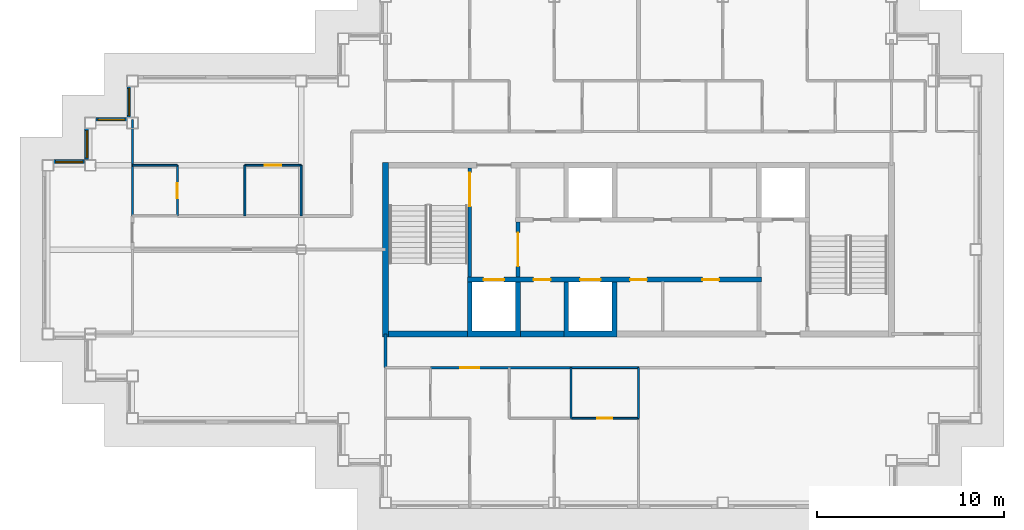
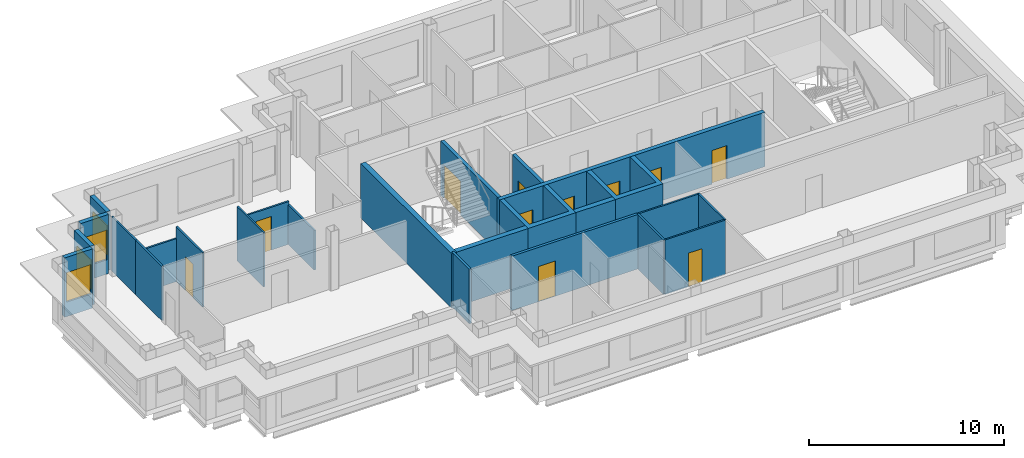
# One storey, part 3 of 12: 25 walls, 11 doors, 4 windows, 15 openings.
"""IFC4 building model written with IfcOpenShell, lengths in metres."""

from ifc_helpers import new_model, si_unit, direction, frame, frame_2d, origin, place, context, subcontext, project, spatial, polyline, rectangle, outline, extrude, material, layer, layer_set, type_object, element, fill, save


model = new_model("IFC4")

# Units and contexts
model_context = context("Model", 3, precision=1e-05, world=origin(), true_north=direction((0.0, 1.0)))
body_context = subcontext(model_context, "Body", "Model", "MODEL_VIEW")
ifc_project = project(units=[si_unit("LENGTHUNIT", "METRE"), si_unit("AREAUNIT", "SQUARE_METRE"), si_unit("VOLUMEUNIT", "CUBIC_METRE"), si_unit("PLANEANGLEUNIT", "RADIAN"), si_unit("MASSUNIT", "GRAM", prefix="KILO")], contexts=[model_context])

# Site, building, storey
site_placement = place(None, origin())
site = spatial("IfcSite", under=ifc_project, at=site_placement, CompositionType="ELEMENT")
building_placement = place(site_placement, origin())
building = spatial("IfcBuilding", under=site, at=building_placement, Name="Caravel Reach Hotel and Residences", CompositionType="ELEMENT")
storey_placement = place(building_placement, frame((0.0, 0.0, 241.60009765625)))
storey = spatial("IfcBuildingStorey", under=building, at=storey_placement, Name="L61", CompositionType="ELEMENT", Elevation=241.60009765625)

# Wall, opening, door
ifc_material_1 = material(Name="Gypsum board on steel stud", Category="steel")
ifc_layer_1 = layer(ifc_material_1, 0.10009765625)
ifc_layer_set_1 = layer_set([ifc_layer_1], Name="Bathroom pod wall 100 mm")
wall_type_1 = type_object("IfcWallType", Name="Bathroom pod wall 100 mm", PredefinedType="PARTITIONING", material=ifc_layer_set_1)
wall_1_placement = place(storey_placement, frame((27.89990234375, 18.0, 0.0), z_axis=(0.0, 0.0, 1.0), x_axis=(1.0, 0.0, 0.0)))
wall_1 = element("IfcWall", 1, at=wall_1_placement, inside=storey, type_object=wall_type_1, Name="L61 wall w052", PredefinedType="PARTITIONING", context=body_context, shape_type="SweptSolid", body=[
    extrude(rectangle(XDim=3.60009765625, YDim=0.10009765625, at=frame_2d((1.800048828125, 0.0))), origin(), (0.0, 0.0, 1.0), 3.39990234375),
])
opening_1_placement = place(wall_1_placement, frame((1.39990234375, 0.0, 0.0)))
opening_1 = element("IfcOpeningElement", 2, at=opening_1_placement, cuts=wall_1, Name="Opening D61-036", PredefinedType="OPENING", context=body_context, shape_type="SweptSolid", body=[
    extrude(rectangle(XDim=0.800048828125, YDim=2.10009765625, at=frame_2d((0.39990234375, 1.050048828125))), frame((0.0, 0.06005859375, 0.0), z_axis=(0.0, -1.0, 0.0), x_axis=(1.0, 0.0, 0.0)), (0.0, 0.0, 1.0), 0.1201171875),
])
ifc_material_2 = material(Name="Timber and steel door leaf", Category="steel")
door_type_1 = type_object("IfcDoorType", Name="Bathroom door 800 x 2100", OperationType="SINGLE_SWING_LEFT", PredefinedType="DOOR", material=ifc_material_2)
door_1_placement = place(opening_1_placement, origin())
door_1 = element("IfcDoor", 3, at=door_1_placement, inside=storey, type_object=door_type_1, Name="door D61-036", OperationType="SINGLE_SWING_LEFT", OverallHeight=2.10009765625, OverallWidth=0.800048828125, PredefinedType="DOOR", context=body_context, shape_type="SweptSolid", body=[
    extrude(rectangle(XDim=0.800048828125, YDim=2.10009765625, at=frame_2d((0.39990234375, 1.050048828125))), frame((0.0, 0.02490234375, 0.0), z_axis=(0.0, -1.0, 0.0), x_axis=(1.0, 0.0, 0.0)), (0.0, 0.0, 1.0), 0.050048828125),
])
fill(opening_1, door_1)

# Walls
wall_2_placement = place(storey_placement, frame((27.89990234375, 20.699951171875, 0.0), z_axis=(0.0, 0.0, 1.0), x_axis=(1.0, 0.0, 0.0)))
element("IfcWall", 4, at=wall_2_placement, inside=storey, type_object=wall_type_1, Name="L61 wall w054", PredefinedType="PARTITIONING", context=body_context, shape_type="SweptSolid", body=[
    extrude(rectangle(XDim=3.60009765625, YDim=0.10009765625, at=frame_2d((1.800048828125, 0.0))), origin(), (0.0, 0.0, 1.0), 3.39990234375),
])
wall_3_placement = place(storey_placement, frame((4.5, 31.5, 0.0), z_axis=(0.0, 0.0, 1.0), x_axis=(1.0, 0.0, 0.0)))
element("IfcWall", 5, at=wall_3_placement, inside=storey, type_object=wall_type_1, Name="L61 wall w056", PredefinedType="PARTITIONING", context=body_context, shape_type="SweptSolid", body=[
    extrude(rectangle(XDim=2.39990234375, YDim=0.10009765625, at=frame_2d((1.199951171875, 0.0))), origin(), (0.0, 0.0, 1.0), 2.679931640625),
])
for number, where, z_axis, x_axis, name in (
    (6, (27.89990234375, 18.0, 0.0), (0.0, 0.0, 1.0), (0.0, 1.0, 0.0), "L61 wall w070"),
    (7, (31.5, 18.0, 0.0), (0.0, 0.0, 1.0), (0.0, 1.0, 0.0), "L61 wall w073"),
    (8, (4.5, 28.800048828125, 0.0), (0.0, 0.0, 1.0), (0.0, 1.0, 0.0), "L61 wall w075"),
):
    element("IfcWall", number, at=place(storey_placement, frame(where, z_axis=z_axis, x_axis=x_axis)), inside=storey, type_object=wall_type_1, Name=name, PredefinedType="PARTITIONING", context=body_context, shape_type="SweptSolid", body=[
        extrude(rectangle(XDim=2.699951171875, YDim=0.10009765625, at=frame_2d((1.35009765625, 0.0))), origin(), (0.0, 0.0, 1.0), 3.39990234375),
    ])

# Wall, opening, door
wall_4_placement = place(storey_placement, frame((6.89990234375, 28.800048828125, 0.0), z_axis=(0.0, 0.0, 1.0), x_axis=(0.0, 1.0, 0.0)))
wall_4 = element("IfcWall", 9, at=wall_4_placement, inside=storey, type_object=wall_type_1, Name="L61 wall w079", PredefinedType="PARTITIONING", context=body_context, shape_type="SweptSolid", body=[
    extrude(rectangle(XDim=2.699951171875, YDim=0.10009765625, at=frame_2d((1.35009765625, 0.0))), origin(), (0.0, 0.0, 1.0), 3.39990234375),
])
opening_2_placement = place(wall_4_placement, frame((0.949951171875, 0.0, 0.0)))
opening_2 = element("IfcOpeningElement", 10, at=opening_2_placement, cuts=wall_4, Name="Opening D61-030", PredefinedType="OPENING", context=body_context, shape_type="SweptSolid", body=[
    extrude(rectangle(XDim=0.800048828125, YDim=2.10009765625, at=frame_2d((0.39990234375, 1.050048828125))), frame((0.0, 0.06005859375, 0.0), z_axis=(0.0, -1.0, 0.0), x_axis=(1.0, 0.0, 0.0)), (0.0, 0.0, 1.0), 0.1201171875),
])
door_2_placement = place(opening_2_placement, origin())
door_2 = element("IfcDoor", 11, at=door_2_placement, inside=storey, type_object=door_type_1, Name="door D61-030", OperationType="SINGLE_SWING_LEFT", OverallHeight=2.10009765625, OverallWidth=0.800048828125, PredefinedType="DOOR", context=body_context, shape_type="SweptSolid", body=[
    extrude(rectangle(XDim=0.800048828125, YDim=2.10009765625, at=frame_2d((0.39990234375, 1.050048828125))), frame((0.0, 0.02490234375, 0.0), z_axis=(0.0, -1.0, 0.0), x_axis=(1.0, 0.0, 0.0)), (0.0, 0.0, 1.0), 0.050048828125),
])
fill(opening_2, door_2)

# Walls
ifc_material_3 = material(Name="Concrete C60", Category="concrete")
ifc_layer_2 = layer(ifc_material_3, 0.300048828125)
ifc_layer_set_2 = layer_set([ifc_layer_2], Name="Core wall 300 mm EI 120")
wall_type_2 = type_object("IfcWallType", Name="Core wall 300 mm EI 120", PredefinedType="SHEAR", material=ifc_layer_set_2)
wall_5_placement = place(storey_placement, frame((18.14990234375, 22.5, 0.0), z_axis=(0.0, 0.0, 1.0), x_axis=(1.0, 0.0, 0.0)))
element("IfcWall", 12, at=wall_5_placement, inside=storey, type_object=wall_type_2, Name="L61 core wall S1", PredefinedType="SHEAR", context=body_context, shape_type="SweptSolid", body=[
    extrude(rectangle(XDim=4.22509765625, YDim=0.300048828125, at=frame_2d((2.112548828125, 0.0))), origin(), (0.0, 0.0, 1.0), 3.39990234375),
])
wall_6_placement = place(storey_placement, frame((25.196533203125, 22.5, 0.0), z_axis=(0.0, 0.0, 1.0), x_axis=(1.0, 0.0, 0.0)))
element("IfcWall", 13, at=wall_6_placement, inside=storey, type_object=wall_type_2, Name="L61 core wall S2", PredefinedType="SHEAR", context=body_context, shape_type="SweptSolid", body=[
    extrude(rectangle(XDim=2.3212890625, YDim=0.300048828125, at=frame_2d((1.16064453125, 0.0))), origin(), (0.0, 0.0, 1.0), 3.39990234375),
])
wall_7_placement = place(storey_placement, frame((18.0, 22.35009765625, 0.0), z_axis=(0.0, 0.0, 1.0), x_axis=(0.0, 1.0, 0.0)))
element("IfcWall", 14, at=wall_7_placement, inside=storey, type_object=wall_type_2, Name="L61 core wall W", PredefinedType="SHEAR", context=body_context, shape_type="SweptSolid", body=[
    extrude(rectangle(XDim=9.2998046875, YDim=0.300048828125, at=frame_2d((4.64990234375, 0.0))), origin(), (0.0, 0.0, 1.0), 3.39990234375),
])

# Wall, opening, door
ifc_material_4 = material(Name="Gypsum board on steel stud, fire-rated", Category="steel")
ifc_layer_3 = layer(ifc_material_4, 0.14990234375)
ifc_layer_set_3 = layer_set([ifc_layer_3], Name="Corridor wall 150 mm EI 60")
wall_type_3 = type_object("IfcWallType", Name="Corridor wall 150 mm EI 60", PredefinedType="PARTITIONING", material=ifc_layer_set_3)
wall_8_placement = place(storey_placement, frame((20.39990234375, 20.699951171875, 0.0), z_axis=(0.0, 0.0, 1.0), x_axis=(1.0, 0.0, 0.0)))
wall_8 = element("IfcWall", 15, at=wall_8_placement, inside=storey, type_object=wall_type_3, Name="L61 wall w001", PredefinedType="PARTITIONING", context=body_context, shape_type="SweptSolid", body=[
    extrude(rectangle(XDim=7.5, YDim=0.14990234375, at=frame_2d((3.75, 0.0))), origin(), (0.0, 0.0, 1.0), 3.39990234375),
])
opening_3_placement = place(wall_8_placement, frame((1.60009765625, 0.0, 0.0)))
opening_3 = element("IfcOpeningElement", 16, at=opening_3_placement, cuts=wall_8, Name="Opening D61-033", PredefinedType="OPENING", context=body_context, shape_type="SweptSolid", body=[
    extrude(rectangle(XDim=1.0, YDim=2.199951171875, at=frame_2d((0.5, 1.10009765625))), frame((0.0, 0.0849609375, 0.0), z_axis=(0.0, -1.0, 0.0), x_axis=(1.0, 0.0, 0.0)), (0.0, 0.0, 1.0), 0.169921875),
])
ifc_material_5 = material(Name="Steel fire door leaf", Category="steel")
door_type_2 = type_object("IfcDoorType", Name="Flat entrance door 1000 x 2200 EI 60", OperationType="SINGLE_SWING_LEFT", PredefinedType="DOOR", material=ifc_material_5)
door_3_placement = place(opening_3_placement, origin())
door_3 = element("IfcDoor", 17, at=door_3_placement, inside=storey, type_object=door_type_2, Name="door D61-033", OperationType="SINGLE_SWING_LEFT", OverallHeight=2.199951171875, OverallWidth=1.0, PredefinedType="DOOR", context=body_context, shape_type="SweptSolid", body=[
    extrude(rectangle(XDim=1.0, YDim=2.199951171875, at=frame_2d((0.5, 1.10009765625))), frame((0.0, 0.02490234375, 0.0), z_axis=(0.0, -1.0, 0.0), x_axis=(1.0, 0.0, 0.0)), (0.0, 0.0, 1.0), 0.050048828125),
])
fill(opening_3, door_3)

# Wall
wall_9_placement = place(storey_placement, frame((18.0, 20.699951171875, 0.0), z_axis=(0.0, 0.0, 1.0), x_axis=(0.0, 1.0, 0.0)))
element("IfcWall", 18, at=wall_9_placement, inside=storey, type_object=wall_type_3, Name="L61 wall w016", PredefinedType="PARTITIONING", context=body_context, shape_type="SweptSolid", body=[
    extrude(rectangle(XDim=1.800048828125, YDim=0.14990234375, at=frame_2d((0.89990234375, 0.0))), origin(), (0.0, 0.0, 1.0), 3.39990234375),
])

# Wall, opening, window
ifc_material_6 = material(Name="Insulated rainscreen wall, aluminium cladding", Category="aluminium")
ifc_layer_4 = layer(ifc_material_6, 0.25)
ifc_layer_set_4 = layer_set([ifc_layer_4], Name="EW1 Tower rainscreen wall")
wall_type_4 = type_object("IfcWallType", Name="EW1 Tower rainscreen wall", PredefinedType="SOLIDWALL", material=ifc_layer_set_4)
wall_10_placement = place(storey_placement, frame((4.324951171875, 35.699951171875, 0.0), z_axis=(0.0, 0.0, 1.0), x_axis=(0.0, -1.0, 0.0)))
wall_10 = element("IfcWall", 19, at=wall_10_placement, inside=storey, type_object=wall_type_4, Name="External wall L61 W19.1", PredefinedType="SOLIDWALL", context=body_context, shape_type="SweptSolid", body=[
    extrude(rectangle(XDim=1.64990234375, YDim=0.25, at=frame_2d((0.824951171875, 0.0))), origin(), (0.0, 0.0, 1.0), 3.699951171875),
])
opening_4_placement = place(wall_10_placement, frame((0.10009765625, 0.0, 0.89990234375)))
opening_4 = element("IfcOpeningElement", 20, at=opening_4_placement, cuts=wall_10, Name="Opening WN25", PredefinedType="OPENING", context=body_context, shape_type="SweptSolid", body=[
    extrude(rectangle(XDim=1.449951171875, YDim=1.85009765625, at=frame_2d((0.72509765625, 0.925048828125))), frame((0.0, 0.135009765625, 0.0), z_axis=(0.0, -1.0, 0.0), x_axis=(1.0, 0.0, 0.0)), (0.0, 0.0, 1.0), 0.27001953125),
])
ifc_material_7 = material(Name="Dark low-e glazing in black aluminium frame", Category="aluminium")
window_type = type_object("IfcWindowType", Name="Residence bedroom window 1450 x 1850", PartitioningType="SINGLE_PANEL", PredefinedType="WINDOW", material=ifc_material_7)
window_1_placement = place(opening_4_placement, origin())
window_1 = element("IfcWindow", 21, at=window_1_placement, inside=storey, type_object=window_type, Name="Window L61 W19.1.1", OverallHeight=1.85009765625, OverallWidth=1.449951171875, PartitioningType="SINGLE_PANEL", PredefinedType="WINDOW", context=body_context, shape_type="SweptSolid", body=[
    extrude(rectangle(XDim=1.449951171875, YDim=1.85009765625, at=frame_2d((0.72509765625, 0.925048828125))), frame((0.0, 0.030029296875, 0.0), z_axis=(0.0, -1.0, 0.0), x_axis=(1.0, 0.0, 0.0)), (0.0, 0.0, 1.0), 0.06005859375),
])
fill(opening_4, window_1)

wall_11_placement = place(storey_placement, frame((4.199951171875, 33.925048828125, 0.0), z_axis=(0.0, 0.0, 1.0), x_axis=(-1.0, 0.0, 0.0)))
wall_11 = element("IfcWall", 22, at=wall_11_placement, inside=storey, type_object=wall_type_4, Name="External wall L61 N20.1", PredefinedType="SOLIDWALL", context=body_context, shape_type="SweptSolid", body=[
    extrude(rectangle(XDim=1.64990234375, YDim=0.25, at=frame_2d((0.824951171875, 0.0))), origin(), (0.0, 0.0, 1.0), 3.699951171875),
])
opening_5_placement = place(wall_11_placement, frame((0.10009765625, 0.0, 0.89990234375)))
opening_5 = element("IfcOpeningElement", 23, at=opening_5_placement, cuts=wall_11, Name="Opening WN25", PredefinedType="OPENING", context=body_context, shape_type="SweptSolid", body=[
    extrude(rectangle(XDim=1.449951171875, YDim=1.85009765625, at=frame_2d((0.72509765625, 0.925048828125))), frame((0.0, 0.135009765625, 0.0), z_axis=(0.0, -1.0, 0.0), x_axis=(1.0, 0.0, 0.0)), (0.0, 0.0, 1.0), 0.27001953125),
])
window_2_placement = place(opening_5_placement, origin())
window_2 = element("IfcWindow", 24, at=window_2_placement, inside=storey, type_object=window_type, Name="Window L61 N20.1.1", OverallHeight=1.85009765625, OverallWidth=1.449951171875, PartitioningType="SINGLE_PANEL", PredefinedType="WINDOW", context=body_context, shape_type="SweptSolid", body=[
    extrude(rectangle(XDim=1.449951171875, YDim=1.85009765625, at=frame_2d((0.72509765625, 0.925048828125))), frame((0.0, 0.030029296875, 0.0), z_axis=(0.0, -1.0, 0.0), x_axis=(1.0, 0.0, 0.0)), (0.0, 0.0, 1.0), 0.06005859375),
])
fill(opening_5, window_2)

wall_12_placement = place(storey_placement, frame((2.074951171875, 33.449951171875, 0.0), z_axis=(0.0, 0.0, 1.0), x_axis=(0.0, -1.0, 0.0)))
wall_12 = element("IfcWall", 25, at=wall_12_placement, inside=storey, type_object=wall_type_4, Name="External wall L61 W21.1", PredefinedType="SOLIDWALL", context=body_context, shape_type="SweptSolid", body=[
    extrude(rectangle(XDim=1.64990234375, YDim=0.25, at=frame_2d((0.824951171875, 0.0))), origin(), (0.0, 0.0, 1.0), 3.699951171875),
])
opening_6_placement = place(wall_12_placement, frame((0.10009765625, 0.0, 0.89990234375)))
opening_6 = element("IfcOpeningElement", 26, at=opening_6_placement, cuts=wall_12, Name="Opening WN25", PredefinedType="OPENING", context=body_context, shape_type="SweptSolid", body=[
    extrude(rectangle(XDim=1.449951171875, YDim=1.85009765625, at=frame_2d((0.72509765625, 0.925048828125))), frame((0.0, 0.135009765625, 0.0), z_axis=(0.0, -1.0, 0.0), x_axis=(1.0, 0.0, 0.0)), (0.0, 0.0, 1.0), 0.27001953125),
])
window_3_placement = place(opening_6_placement, origin())
window_3 = element("IfcWindow", 27, at=window_3_placement, inside=storey, type_object=window_type, Name="Window L61 W21.1.1", OverallHeight=1.85009765625, OverallWidth=1.449951171875, PartitioningType="SINGLE_PANEL", PredefinedType="WINDOW", context=body_context, shape_type="SweptSolid", body=[
    extrude(rectangle(XDim=1.449951171875, YDim=1.85009765625, at=frame_2d((0.72509765625, 0.925048828125))), frame((0.0, 0.030029296875, 0.0), z_axis=(0.0, -1.0, 0.0), x_axis=(1.0, 0.0, 0.0)), (0.0, 0.0, 1.0), 0.06005859375),
])
fill(opening_6, window_3)

wall_13_placement = place(storey_placement, frame((1.949951171875, 31.675048828125, 0.0), z_axis=(0.0, 0.0, 1.0), x_axis=(-1.0, 0.0, 0.0)))
wall_13 = element("IfcWall", 28, at=wall_13_placement, inside=storey, type_object=wall_type_4, Name="External wall L61 N22.1", PredefinedType="SOLIDWALL", context=body_context, shape_type="SweptSolid", body=[
    extrude(rectangle(XDim=1.64990234375, YDim=0.25, at=frame_2d((0.824951171875, 0.0))), origin(), (0.0, 0.0, 1.0), 3.699951171875),
])
opening_7_placement = place(wall_13_placement, frame((0.10009765625, 0.0, 0.89990234375)))
opening_7 = element("IfcOpeningElement", 29, at=opening_7_placement, cuts=wall_13, Name="Opening WN25", PredefinedType="OPENING", context=body_context, shape_type="SweptSolid", body=[
    extrude(rectangle(XDim=1.449951171875, YDim=1.85009765625, at=frame_2d((0.72509765625, 0.925048828125))), frame((0.0, 0.135009765625, 0.0), z_axis=(0.0, -1.0, 0.0), x_axis=(1.0, 0.0, 0.0)), (0.0, 0.0, 1.0), 0.27001953125),
])
window_4_placement = place(opening_7_placement, origin())
window_4 = element("IfcWindow", 30, at=window_4_placement, inside=storey, type_object=window_type, Name="Window L61 N22.1.1", OverallHeight=1.85009765625, OverallWidth=1.449951171875, PartitioningType="SINGLE_PANEL", PredefinedType="WINDOW", context=body_context, shape_type="SweptSolid", body=[
    extrude(rectangle(XDim=1.449951171875, YDim=1.85009765625, at=frame_2d((0.72509765625, 0.925048828125))), frame((0.0, 0.030029296875, 0.0), z_axis=(0.0, -1.0, 0.0), x_axis=(1.0, 0.0, 0.0)), (0.0, 0.0, 1.0), 0.06005859375),
])
fill(opening_7, window_4)

# Wall, opening, door
ifc_material_8 = material(Name="Autoclaved aerated block wall")
ifc_layer_5 = layer(ifc_material_8, 0.199951171875)
ifc_layer_set_5 = layer_set([ifc_layer_5], Name="Fire lobby wall 200 mm EI 120")
wall_type_5 = type_object("IfcWallType", Name="Fire lobby wall 200 mm EI 120", PredefinedType="PARTITIONING", material=ifc_layer_set_5)
wall_14_placement = place(storey_placement, frame((25.071533203125, 25.52490234375, 0.0), z_axis=(0.0, 0.0, 1.0), x_axis=(0.0, 1.0, 0.0)))
wall_14 = element("IfcWall", 31, at=wall_14_placement, inside=storey, type_object=wall_type_5, Name="L61 lobby W wall", PredefinedType="PARTITIONING", context=body_context, shape_type="SweptSolid", body=[
    extrude(rectangle(XDim=2.9501953125, YDim=0.199951171875, at=frame_2d((1.47509765625, 0.0))), origin(), (0.0, 0.0, 1.0), 3.39990234375),
])
opening_8_placement = place(wall_14_placement, frame((0.574951171875, 0.0, 0.0)))
opening_8 = element("IfcOpeningElement", 32, at=opening_8_placement, cuts=wall_14, Name="Opening D61-013", PredefinedType="OPENING", context=body_context, shape_type="SweptSolid", body=[
    extrude(rectangle(XDim=1.800048828125, YDim=2.10009765625, at=frame_2d((0.89990234375, 1.050048828125))), frame((0.0, 0.10986328125, 0.0), z_axis=(0.0, -1.0, 0.0), x_axis=(1.0, 0.0, 0.0)), (0.0, 0.0, 1.0), 0.219970703125),
])
ifc_material_9 = material(Name="Steel fire door leaf", Category="steel")
door_type_3 = type_object("IfcDoorType", Name="Fire lobby door pair 1800 x 2100 EI 90", OperationType="DOUBLE_DOOR_SINGLE_SWING", PredefinedType="DOOR", material=ifc_material_9)
door_4_placement = place(opening_8_placement, origin())
door_4 = element("IfcDoor", 33, at=door_4_placement, inside=storey, type_object=door_type_3, Name="lobby W door pair", OperationType="DOUBLE_DOOR_SINGLE_SWING", OverallHeight=2.10009765625, OverallWidth=1.800048828125, PredefinedType="DOOR", context=body_context, shape_type="SweptSolid", body=[
    extrude(rectangle(XDim=1.800048828125, YDim=2.10009765625, at=frame_2d((0.89990234375, 1.050048828125))), frame((0.0, 0.02490234375, 0.0), z_axis=(0.0, -1.0, 0.0), x_axis=(1.0, 0.0, 0.0)), (0.0, 0.0, 1.0), 0.050048828125),
])
fill(opening_8, door_4)

ifc_material_10 = material(Name="Gypsum board on steel stud", Category="steel")
ifc_layer_6 = layer(ifc_material_10, 0.10009765625)
ifc_layer_set_6 = layer_set([ifc_layer_6], Name="Partition 100 mm")
wall_type_6 = type_object("IfcWallType", Name="Partition 100 mm", PredefinedType="PARTITIONING", material=ifc_layer_set_6)
wall_15_placement = place(storey_placement, frame((10.5, 31.5, 0.0), z_axis=(0.0, 0.0, 1.0), x_axis=(1.0, 0.0, 0.0)))
wall_15 = element("IfcWall", 34, at=wall_15_placement, inside=storey, type_object=wall_type_6, Name="L61 wall w023", PredefinedType="PARTITIONING", context=body_context, shape_type="SweptSolid", body=[
    extrude(rectangle(XDim=3.0, YDim=0.10009765625, at=frame_2d((1.5, 0.0))), origin(), (0.0, 0.0, 1.0), 2.679931640625),
])
opening_9_placement = place(wall_15_placement, frame((1.050048828125, 0.0, 0.0)))
opening_9 = element("IfcOpeningElement", 35, at=opening_9_placement, cuts=wall_15, Name="Opening D61-031", PredefinedType="OPENING", context=body_context, shape_type="SweptSolid", body=[
    extrude(rectangle(XDim=0.89990234375, YDim=2.10009765625, at=frame_2d((0.449951171875, 1.050048828125))), frame((0.0, 0.06005859375, 0.0), z_axis=(0.0, -1.0, 0.0), x_axis=(1.0, 0.0, 0.0)), (0.0, 0.0, 1.0), 0.1201171875),
])
ifc_material_11 = material(Name="Timber and steel door leaf", Category="steel")
door_type_4 = type_object("IfcDoorType", Name="Door 900 x 2100 timber", OperationType="SINGLE_SWING_LEFT", PredefinedType="DOOR", material=ifc_material_11)
door_5_placement = place(opening_9_placement, origin())
door_5 = element("IfcDoor", 36, at=door_5_placement, inside=storey, type_object=door_type_4, Name="door D61-031", OperationType="SINGLE_SWING_RIGHT", OverallHeight=2.10009765625, OverallWidth=0.89990234375, PredefinedType="DOOR", context=body_context, shape_type="SweptSolid", body=[
    extrude(rectangle(XDim=0.89990234375, YDim=2.10009765625, at=frame_2d((0.449951171875, 1.050048828125))), frame((0.0, 0.02490234375, 0.0), z_axis=(0.0, -1.0, 0.0), x_axis=(1.0, 0.0, 0.0)), (0.0, 0.0, 1.0), 0.050048828125),
])
fill(opening_9, door_5)

# Walls
wall_16_placement = place(storey_placement, frame((10.5, 28.800048828125, 0.0), z_axis=(0.0, 0.0, 1.0), x_axis=(0.0, 1.0, 0.0)))
element("IfcWall", 37, at=wall_16_placement, inside=storey, type_object=wall_type_6, Name="L61 wall w032", PredefinedType="PARTITIONING", context=body_context, shape_type="SweptSolid", body=[
    extrude(rectangle(XDim=2.699951171875, YDim=0.10009765625, at=frame_2d((1.35009765625, 0.0))), origin(), (0.0, 0.0, 1.0), 3.39990234375),
])
wall_17_placement = place(storey_placement, frame((13.5, 28.801025390625, 0.0), z_axis=(0.0, 0.0, 1.0), x_axis=(0.0, 1.0, 0.0)))
element("IfcWall", 38, at=wall_17_placement, inside=storey, type_object=wall_type_6, Name="L61 wall w033", PredefinedType="PARTITIONING", context=body_context, shape_type="SweptSolid", body=[
    extrude(rectangle(XDim=2.698974609375, YDim=0.10009765625, at=frame_2d((1.349609375, 0.0))), origin(), (0.0, 0.0, 1.0), 2.47998046875),
])
wall_18_placement = place(storey_placement, frame((4.5, 31.5009765625, 0.0), z_axis=(0.0, 0.0, 1.0), x_axis=(0.0, 1.0, 0.0)))
element("IfcWall", 39, at=wall_18_placement, inside=storey, type_object=wall_type_6, Name="L61 wall w044", PredefinedType="PARTITIONING", context=body_context, shape_type="SweptSolid", body=[
    extrude(rectangle(XDim=2.43896484375, YDim=0.10009765625, at=frame_2d((1.219482421875, 0.0))), origin(), (0.0, 0.0, 1.0), 3.39990234375),
])
ifc_material_12 = material(Name="Concrete C60", Category="concrete")
ifc_layer_7 = layer(ifc_material_12, 0.25)
ifc_layer_set_7 = layer_set([ifc_layer_7], Name="Shaft wall 250 mm EI 120")
wall_type_7 = type_object("IfcWallType", Name="Shaft wall 250 mm EI 120", PredefinedType="SHEAR", material=ifc_layer_set_7)
wall_19_placement = place(storey_placement, origin())
element("IfcWall", 40, at=wall_19_placement, inside=storey, type_object=wall_type_7, Name="L61 lift shaft wall S1", PredefinedType="SHEAR", context=body_context, shape_type="SweptSolid", body=[
    extrude(outline(polyline([(22.375, 22.35009765625), (25.196533203125, 22.35009765625), (25.196533203125, 25.27490234375), (24.946533203125, 25.27490234375), (24.946533203125, 22.64990234375), (22.625, 22.64990234375), (22.625, 25.27490234375), (22.375, 25.27490234375), (22.375, 22.35009765625)])), origin(), (0.0, 0.0, 1.0), 3.39990234375),
])
wall_20_placement = place(storey_placement, origin())
element("IfcWall", 41, at=wall_20_placement, inside=storey, type_object=wall_type_7, Name="L61 lift shaft wall S2", PredefinedType="SHEAR", context=body_context, shape_type="SweptSolid", body=[
    extrude(outline(polyline([(27.517822265625, 22.35009765625), (30.33935546875, 22.35009765625), (30.33935546875, 25.27490234375), (30.08935546875, 25.27490234375), (30.08935546875, 22.64990234375), (27.767822265625, 22.64990234375), (27.767822265625, 25.27490234375), (27.517822265625, 25.27490234375), (27.517822265625, 22.35009765625)])), origin(), (0.0, 0.0, 1.0), 3.39990234375),
])

# Wall, openings, doors
wall_21_placement = place(storey_placement, frame((22.375, 25.39990234375, 0.0), z_axis=(0.0, 0.0, 1.0), x_axis=(1.0, 0.0, 0.0)))
wall_21 = element("IfcWall", 42, at=wall_21_placement, inside=storey, type_object=wall_type_7, Name="L61 lobby wall S1", PredefinedType="SHEAR", context=body_context, shape_type="SweptSolid", body=[
    extrude(rectangle(XDim=15.678466796875, YDim=0.25, at=frame_2d((7.83935546875, 0.0))), origin(), (0.0, 0.0, 1.0), 3.39990234375),
])
opening_10_placement = place(wall_21_placement, frame((6.003662109375, 0.0, 0.0)))
opening_10 = element("IfcOpeningElement", 43, at=opening_10_placement, cuts=wall_21, Name="Opening D61-001", PredefinedType="OPENING", context=body_context, shape_type="SweptSolid", body=[
    extrude(rectangle(XDim=1.10009765625, YDim=2.10009765625, at=frame_2d((0.550048828125, 1.050048828125))), frame((0.0, 0.135009765625, 0.0), z_axis=(0.0, -1.0, 0.0), x_axis=(1.0, 0.0, 0.0)), (0.0, 0.0, 1.0), 0.27001953125),
])
opening_11_placement = place(wall_21_placement, frame((0.860595703125, 0.0, 0.0)))
opening_11 = element("IfcOpeningElement", 44, at=opening_11_placement, cuts=wall_21, Name="Opening D61-003", PredefinedType="OPENING", context=body_context, shape_type="SweptSolid", body=[
    extrude(rectangle(XDim=1.10009765625, YDim=2.10009765625, at=frame_2d((0.550048828125, 1.050048828125))), frame((0.0, 0.135009765625, 0.0), z_axis=(0.0, -1.0, 0.0), x_axis=(1.0, 0.0, 0.0)), (0.0, 0.0, 1.0), 0.27001953125),
])
opening_12_placement = place(wall_21_placement, frame((3.531982421875, 0.0, 0.0)))
opening_12 = element("IfcOpeningElement", 45, at=opening_12_placement, cuts=wall_21, Name="Opening D61-005", PredefinedType="OPENING", context=body_context, shape_type="SweptSolid", body=[
    extrude(rectangle(XDim=0.89990234375, YDim=2.10009765625, at=frame_2d((0.449951171875, 1.050048828125))), frame((0.0, 0.135009765625, 0.0), z_axis=(0.0, -1.0, 0.0), x_axis=(1.0, 0.0, 0.0)), (0.0, 0.0, 1.0), 0.27001953125),
])
opening_13_placement = place(wall_21_placement, frame((8.675048828125, 0.0, 0.0)))
opening_13 = element("IfcOpeningElement", 46, at=opening_13_placement, cuts=wall_21, Name="Opening D61-006", PredefinedType="OPENING", context=body_context, shape_type="SweptSolid", body=[
    extrude(rectangle(XDim=0.89990234375, YDim=2.10009765625, at=frame_2d((0.449951171875, 1.050048828125))), frame((0.0, 0.135009765625, 0.0), z_axis=(0.0, -1.0, 0.0), x_axis=(1.0, 0.0, 0.0)), (0.0, 0.0, 1.0), 0.27001953125),
])
opening_14_placement = place(wall_21_placement, frame((12.531982421875, 0.0, 0.0)))
opening_14 = element("IfcOpeningElement", 47, at=opening_14_placement, cuts=wall_21, Name="Opening D61-007", PredefinedType="OPENING", context=body_context, shape_type="SweptSolid", body=[
    extrude(rectangle(XDim=0.89990234375, YDim=2.10009765625, at=frame_2d((0.449951171875, 1.050048828125))), frame((0.0, 0.135009765625, 0.0), z_axis=(0.0, -1.0, 0.0), x_axis=(1.0, 0.0, 0.0)), (0.0, 0.0, 1.0), 0.27001953125),
])
ifc_material_13 = material(Name="Stainless steel landing door", Category="steel")
door_type_5 = type_object("IfcDoorType", Name="Landing door LD 1100 x 2100 sliding", OperationType="DOUBLE_DOOR_SLIDING", PredefinedType="DOOR", material=ifc_material_13)
door_6_placement = place(opening_10_placement, origin())
door_6 = element("IfcDoor", 48, at=door_6_placement, inside=storey, type_object=door_type_5, Name="HP1 landing door", OperationType="DOUBLE_DOOR_SLIDING", OverallHeight=2.10009765625, OverallWidth=1.10009765625, PredefinedType="DOOR", context=body_context, shape_type="SweptSolid", body=[
    extrude(rectangle(XDim=1.10009765625, YDim=2.10009765625, at=frame_2d((0.550048828125, 1.050048828125))), frame((0.0, 0.02490234375, 0.0), z_axis=(0.0, -1.0, 0.0), x_axis=(1.0, 0.0, 0.0)), (0.0, 0.0, 1.0), 0.050048828125),
])
fill(opening_10, door_6)
door_7_placement = place(opening_11_placement, origin())
door_7 = element("IfcDoor", 49, at=door_7_placement, inside=storey, type_object=door_type_5, Name="FL1 landing door", OperationType="DOUBLE_DOOR_SLIDING", OverallHeight=2.10009765625, OverallWidth=1.10009765625, PredefinedType="DOOR", context=body_context, shape_type="SweptSolid", body=[
    extrude(rectangle(XDim=1.10009765625, YDim=2.10009765625, at=frame_2d((0.550048828125, 1.050048828125))), frame((0.0, 0.02490234375, 0.0), z_axis=(0.0, -1.0, 0.0), x_axis=(1.0, 0.0, 0.0)), (0.0, 0.0, 1.0), 0.050048828125),
])
fill(opening_11, door_7)
ifc_material_14 = material(Name="Steel fire door leaf", Category="steel")
door_type_6 = type_object("IfcDoorType", Name="Riser door 900 x 2100 EI 60", OperationType="SINGLE_SWING_LEFT", PredefinedType="DOOR", material=ifc_material_14)
door_8_placement = place(opening_12_placement, origin())
door_8 = element("IfcDoor", 50, at=door_8_placement, inside=storey, type_object=door_type_6, Name="Refuse store door", OperationType="SINGLE_SWING_LEFT", OverallHeight=2.10009765625, OverallWidth=0.89990234375, PredefinedType="DOOR", context=body_context, shape_type="SweptSolid", body=[
    extrude(rectangle(XDim=0.89990234375, YDim=2.10009765625, at=frame_2d((0.449951171875, 1.050048828125))), frame((0.0, 0.02490234375, 0.0), z_axis=(0.0, -1.0, 0.0), x_axis=(1.0, 0.0, 0.0)), (0.0, 0.0, 1.0), 0.050048828125),
])
fill(opening_12, door_8)
door_9_placement = place(opening_13_placement, origin())
door_9 = element("IfcDoor", 51, at=door_9_placement, inside=storey, type_object=door_type_6, Name="Housekeeping store door", OperationType="SINGLE_SWING_LEFT", OverallHeight=2.10009765625, OverallWidth=0.89990234375, PredefinedType="DOOR", context=body_context, shape_type="SweptSolid", body=[
    extrude(rectangle(XDim=0.89990234375, YDim=2.10009765625, at=frame_2d((0.449951171875, 1.050048828125))), frame((0.0, 0.02490234375, 0.0), z_axis=(0.0, -1.0, 0.0), x_axis=(1.0, 0.0, 0.0)), (0.0, 0.0, 1.0), 0.050048828125),
])
fill(opening_13, door_9)
door_10_placement = place(opening_14_placement, origin())
door_10 = element("IfcDoor", 52, at=door_10_placement, inside=storey, type_object=door_type_6, Name="Mail store door", OperationType="SINGLE_SWING_LEFT", OverallHeight=2.10009765625, OverallWidth=0.89990234375, PredefinedType="DOOR", context=body_context, shape_type="SweptSolid", body=[
    extrude(rectangle(XDim=0.89990234375, YDim=2.10009765625, at=frame_2d((0.449951171875, 1.050048828125))), frame((0.0, 0.02490234375, 0.0), z_axis=(0.0, -1.0, 0.0), x_axis=(1.0, 0.0, 0.0)), (0.0, 0.0, 1.0), 0.050048828125),
])
fill(opening_14, door_10)

# Wall, opening, door
ifc_material_15 = material(Name="Concrete C60", Category="concrete")
ifc_layer_8 = layer(ifc_material_15, 0.199951171875)
ifc_layer_set_8 = layer_set([ifc_layer_8], Name="Stair enclosure wall 200 mm EI 120")
wall_type_8 = type_object("IfcWallType", Name="Stair enclosure wall 200 mm EI 120", PredefinedType="SHEAR", material=ifc_layer_set_8)
wall_22_placement = place(storey_placement, frame((22.5, 31.35009765625, 0.0), z_axis=(0.0, 0.0, 1.0), x_axis=(0.0, -1.0, 0.0)))
wall_22 = element("IfcWall", 53, at=wall_22_placement, inside=storey, type_object=wall_type_8, Name="L61 stair A wall", PredefinedType="SHEAR", context=body_context, shape_type="SweptSolid", body=[
    extrude(rectangle(XDim=5.8251953125, YDim=0.199951171875, at=frame_2d((2.91259765625, 0.0))), origin(), (0.0, 0.0, 1.0), 3.39990234375),
])
opening_15_placement = place(wall_22_placement, frame((0.25, 0.0, 0.0)))
opening_15 = element("IfcOpeningElement", 54, at=opening_15_placement, cuts=wall_22, Name="Opening D61-011", PredefinedType="OPENING", context=body_context, shape_type="SweptSolid", body=[
    extrude(rectangle(XDim=1.800048828125, YDim=2.10009765625, at=frame_2d((0.89990234375, 1.050048828125))), frame((0.0, 0.10986328125, 0.0), z_axis=(0.0, -1.0, 0.0), x_axis=(1.0, 0.0, 0.0)), (0.0, 0.0, 1.0), 0.219970703125),
])
ifc_material_16 = material(Name="Steel fire door leaf", Category="steel")
door_type_7 = type_object("IfcDoorType", Name="Stair door pair 1800 x 2100 EI 90", OperationType="DOUBLE_DOOR_SINGLE_SWING", PredefinedType="DOOR", material=ifc_material_16)
door_11_placement = place(opening_15_placement, origin())
door_11 = element("IfcDoor", 55, at=door_11_placement, inside=storey, type_object=door_type_7, Name="stair A door pair", OperationType="DOUBLE_DOOR_SINGLE_SWING", OverallHeight=2.10009765625, OverallWidth=1.800048828125, PredefinedType="DOOR", context=body_context, shape_type="SweptSolid", body=[
    extrude(rectangle(XDim=1.800048828125, YDim=2.10009765625, at=frame_2d((0.89990234375, 1.050048828125))), frame((0.0, 0.02490234375, 0.0), z_axis=(0.0, -1.0, 0.0), x_axis=(1.0, 0.0, 0.0)), (0.0, 0.0, 1.0), 0.050048828125),
])
fill(opening_15, door_11)

save(model, "model.ifc")
